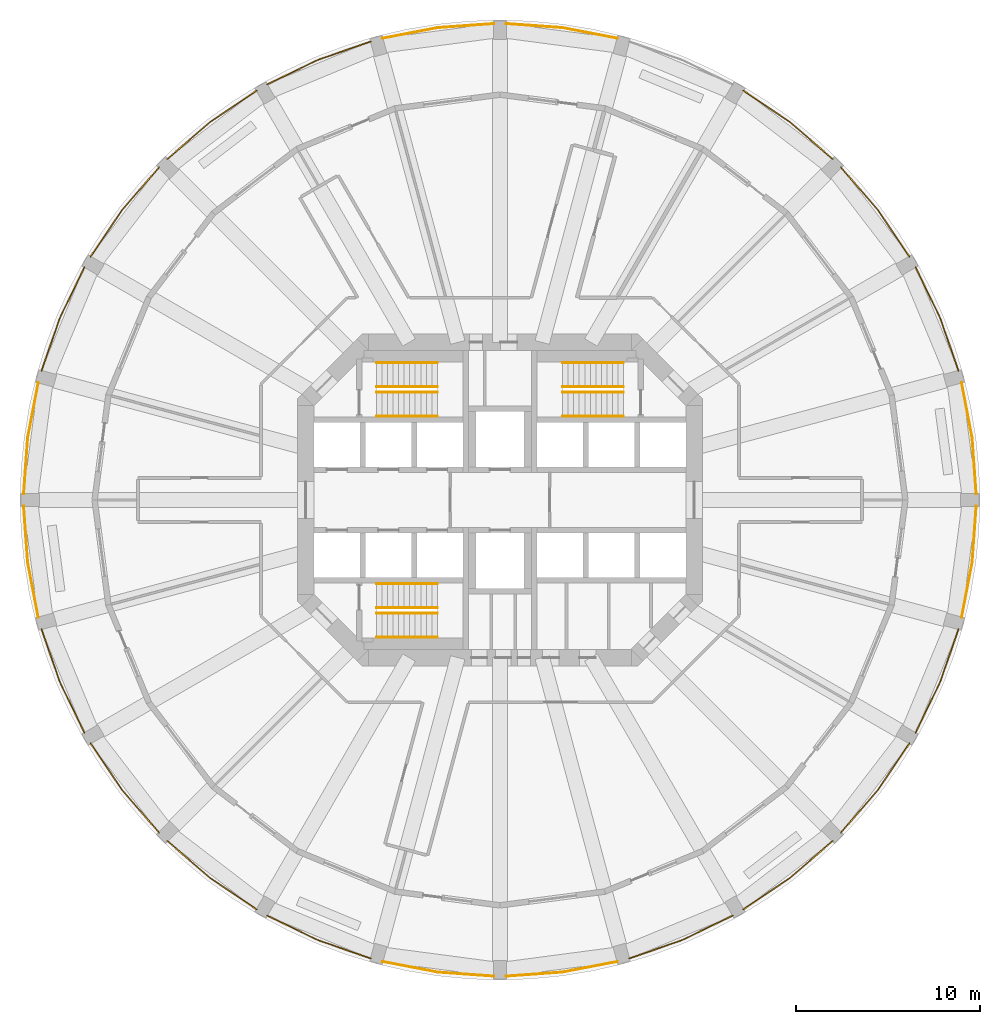
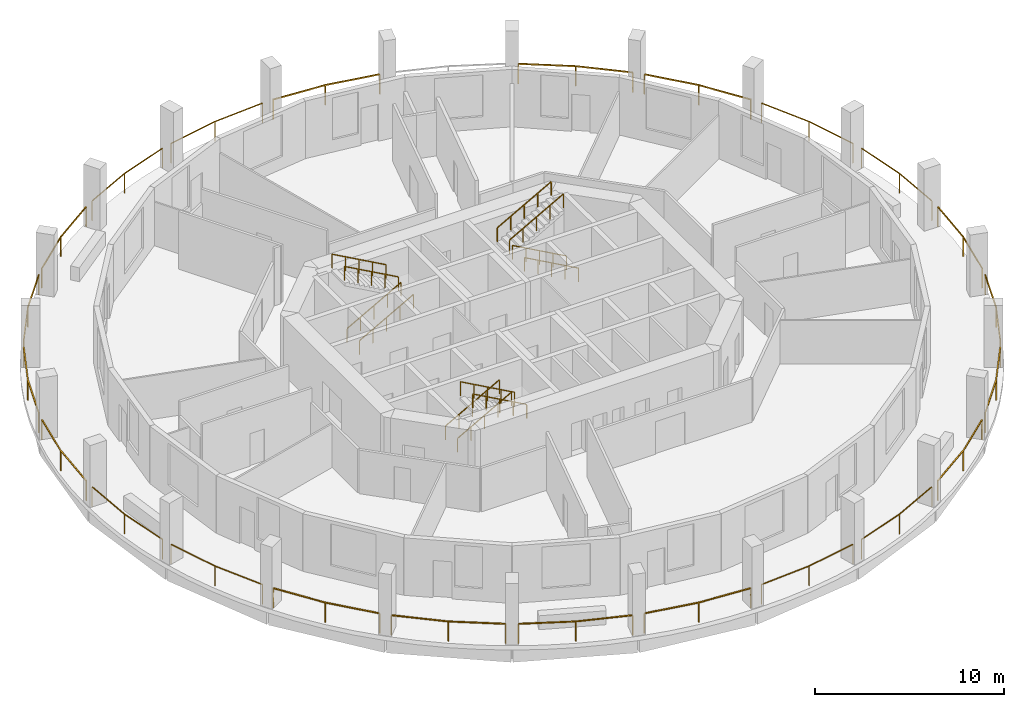
# One storey, part 8 of 9: 35 railings.
"""IFC4 building model written with IfcOpenShell, lengths in metres."""

from ifc_helpers import new_model, si_unit, direction, frame, origin, origin_2d, place, context, subcontext, project, spatial, rectangle, extrude, material, type_object, element, save


model = new_model("IFC4")

# Units and contexts
model_context = context("Model", 3, precision=1e-05, world=origin(), true_north=direction((0.0, 1.0)))
body_context = subcontext(model_context, "Body", "Model", "MODEL_VIEW")
ifc_project = project(units=[si_unit("LENGTHUNIT", "METRE"), si_unit("AREAUNIT", "SQUARE_METRE"), si_unit("VOLUMEUNIT", "CUBIC_METRE"), si_unit("PLANEANGLEUNIT", "RADIAN"), si_unit("MASSUNIT", "GRAM", prefix="KILO")], contexts=[model_context])

# Site, building, storey
site_placement = place(None, origin())
site = spatial("IfcSite", under=ifc_project, at=site_placement, CompositionType="ELEMENT")
building_placement = place(site_placement, origin())
building = spatial("IfcBuilding", under=site, at=building_placement, Name="Torre Triforio", CompositionType="ELEMENT")
storey_placement = place(building_placement, frame((0.0, 0.0, 102.60009765625)))
storey = spatial("IfcBuildingStorey", under=building, at=storey_placement, Name="L22", CompositionType="ELEMENT", Elevation=102.60009765625)

# Railings
ifc_material = material(Name="Stainless steel AISI 316", Category="steel")
railing_type_1 = type_object("IfcRailingType", Name="HANDRAIL 920", PredefinedType="HANDRAIL", material=ifc_material)
for number, where, name in (
    (1, (-6.699951171875, 4.550048828125, 0.16650390625), "Handrail ST1"),
    (2, (-6.699951171875, 5.85009765625, 0.16650390625), "Handrail ST1"),
):
    element("IfcRailing", number, at=place(storey_placement, frame(where)), inside=storey, type_object=railing_type_1, Name=name, PredefinedType="HANDRAIL", context=body_context, shape_type="SweptSolid", body=[
        extrude(rectangle(XDim=0.048095703125, YDim=0.048095703125, at=origin_2d()), frame((0.0, 0.0, 0.89599609375), z_axis=(0.874142023373, 0.0, 0.48567038511), x_axis=(0.0, 1.0, 0.0)), (0.0, 0.0, 1.0), 3.775146484375),
        extrude(rectangle(XDim=0.0419921875, YDim=0.0419921875, at=origin_2d()), origin(), (0.0, 0.0, 1.0), 0.871826171875),
        extrude(rectangle(XDim=0.0419921875, YDim=0.0419921875, at=origin_2d()), frame((0.824951171875, 0.0, 0.45849609375)), (0.0, 0.0, 1.0), 0.871826171875),
        extrude(rectangle(XDim=0.0419921875, YDim=0.0419921875, at=origin_2d()), frame((1.64990234375, 0.0, 0.916748046875)), (0.0, 0.0, 1.0), 0.871826171875),
        extrude(rectangle(XDim=0.0419921875, YDim=0.0419921875, at=origin_2d()), frame((2.47509765625, 0.0, 1.375)), (0.0, 0.0, 1.0), 0.871826171875),
        extrude(rectangle(XDim=0.0419921875, YDim=0.0419921875, at=origin_2d()), frame((3.300048828125, 0.0, 1.83349609375)), (0.0, 0.0, 1.0), 0.871826171875),
    ])
for number, where, name in (
    (3, (-3.39990234375, 7.449951171875, 2.16650390625), "Handrail ST1"),
    (4, (-3.39990234375, 6.14990234375, 2.16650390625), "Handrail ST1"),
    (5, (6.699951171875, 4.550048828125, 0.16650390625), "Handrail ST2"),
    (6, (6.699951171875, 5.85009765625, 0.16650390625), "Handrail ST2"),
):
    element("IfcRailing", number, at=place(storey_placement, frame(where)), inside=storey, type_object=railing_type_1, Name=name, PredefinedType="HANDRAIL", context=body_context, shape_type="SweptSolid", body=[
        extrude(rectangle(XDim=0.048095703125, YDim=0.048095703125, at=origin_2d()), frame((0.0, 0.0, 0.89599609375), z_axis=(-0.874142023373, 0.0, 0.48567038511), x_axis=(0.0, -1.0, 0.0)), (0.0, 0.0, 1.0), 3.775146484375),
        extrude(rectangle(XDim=0.0419921875, YDim=0.0419921875, at=origin_2d()), origin(), (0.0, 0.0, 1.0), 0.871826171875),
        extrude(rectangle(XDim=0.0419921875, YDim=0.0419921875, at=origin_2d()), frame((-0.824951171875, 0.0, 0.45849609375)), (0.0, 0.0, 1.0), 0.871826171875),
        extrude(rectangle(XDim=0.0419921875, YDim=0.0419921875, at=origin_2d()), frame((-1.64990234375, 0.0, 0.916748046875)), (0.0, 0.0, 1.0), 0.871826171875),
        extrude(rectangle(XDim=0.0419921875, YDim=0.0419921875, at=origin_2d()), frame((-2.47509765625, 0.0, 1.375)), (0.0, 0.0, 1.0), 0.871826171875),
        extrude(rectangle(XDim=0.0419921875, YDim=0.0419921875, at=origin_2d()), frame((-3.300048828125, 0.0, 1.83349609375)), (0.0, 0.0, 1.0), 0.871826171875),
    ])
for number, where, name in (
    (7, (3.39990234375, 7.449951171875, 2.16650390625), "Handrail ST2"),
    (8, (3.39990234375, 6.14990234375, 2.16650390625), "Handrail ST2"),
    (9, (-6.699951171875, -4.550048828125, 0.16650390625), "Handrail ST3"),
    (10, (-6.699951171875, -5.85009765625, 0.16650390625), "Handrail ST3"),
):
    element("IfcRailing", number, at=place(storey_placement, frame(where)), inside=storey, type_object=railing_type_1, Name=name, PredefinedType="HANDRAIL", context=body_context, shape_type="SweptSolid", body=[
        extrude(rectangle(XDim=0.048095703125, YDim=0.048095703125, at=origin_2d()), frame((0.0, 0.0, 0.89599609375), z_axis=(0.874142023373, 0.0, 0.48567038511), x_axis=(0.0, 1.0, 0.0)), (0.0, 0.0, 1.0), 3.775146484375),
        extrude(rectangle(XDim=0.0419921875, YDim=0.0419921875, at=origin_2d()), origin(), (0.0, 0.0, 1.0), 0.871826171875),
        extrude(rectangle(XDim=0.0419921875, YDim=0.0419921875, at=origin_2d()), frame((0.824951171875, 0.0, 0.45849609375)), (0.0, 0.0, 1.0), 0.871826171875),
        extrude(rectangle(XDim=0.0419921875, YDim=0.0419921875, at=origin_2d()), frame((1.64990234375, 0.0, 0.916748046875)), (0.0, 0.0, 1.0), 0.871826171875),
        extrude(rectangle(XDim=0.0419921875, YDim=0.0419921875, at=origin_2d()), frame((2.47509765625, 0.0, 1.375)), (0.0, 0.0, 1.0), 0.871826171875),
        extrude(rectangle(XDim=0.0419921875, YDim=0.0419921875, at=origin_2d()), frame((3.300048828125, 0.0, 1.83349609375)), (0.0, 0.0, 1.0), 0.871826171875),
    ])
for number, where, name in (
    (11, (-3.39990234375, -7.449951171875, 2.16650390625), "Handrail ST3"),
    (12, (-3.39990234375, -6.14990234375, 2.16650390625), "Handrail ST3"),
):
    element("IfcRailing", number, at=place(storey_placement, frame(where)), inside=storey, type_object=railing_type_1, Name=name, PredefinedType="HANDRAIL", context=body_context, shape_type="SweptSolid", body=[
        extrude(rectangle(XDim=0.048095703125, YDim=0.048095703125, at=origin_2d()), frame((0.0, 0.0, 0.89599609375), z_axis=(-0.874142023373, 0.0, 0.48567038511), x_axis=(0.0, -1.0, 0.0)), (0.0, 0.0, 1.0), 3.775146484375),
        extrude(rectangle(XDim=0.0419921875, YDim=0.0419921875, at=origin_2d()), origin(), (0.0, 0.0, 1.0), 0.871826171875),
        extrude(rectangle(XDim=0.0419921875, YDim=0.0419921875, at=origin_2d()), frame((-0.824951171875, 0.0, 0.45849609375)), (0.0, 0.0, 1.0), 0.871826171875),
        extrude(rectangle(XDim=0.0419921875, YDim=0.0419921875, at=origin_2d()), frame((-1.64990234375, 0.0, 0.916748046875)), (0.0, 0.0, 1.0), 0.871826171875),
        extrude(rectangle(XDim=0.0419921875, YDim=0.0419921875, at=origin_2d()), frame((-2.47509765625, 0.0, 1.375)), (0.0, 0.0, 1.0), 0.871826171875),
        extrude(rectangle(XDim=0.0419921875, YDim=0.0419921875, at=origin_2d()), frame((-3.300048828125, 0.0, 1.83349609375)), (0.0, 0.0, 1.0), 0.871826171875),
    ])
railing_type_2 = type_object("IfcRailingType", Name="Loggia guard 1300", PredefinedType="GUARDRAIL", material=ifc_material)
railing_1_placement = place(storey_placement, frame((25.85009765625, 0.320068359375, 0.0)))
element("IfcRailing", 13, at=railing_1_placement, inside=storey, type_object=railing_type_2, Name="Loggia guard L22 bay 01", PredefinedType="GUARDRAIL", context=body_context, shape_type="SweptSolid", body=[
    extrude(rectangle(XDim=0.050048828125, YDim=0.050048828125, at=origin_2d()), frame((0.0, 0.0, 1.27490234375), z_axis=(-0.072238625319, 0.997387377608, 0.0), x_axis=(-0.997387377608, -0.072238625319, 0.0)), (0.0, 0.0, 1.0), 3.06201171875),
    extrude(rectangle(XDim=0.050048828125, YDim=0.050048828125, at=origin_2d()), frame((-0.22119140625, 3.053955078125, 1.27490234375), z_axis=(-0.188397892972, 0.982092782747, 0.0), x_axis=(-0.982092782747, -0.188397892972, 0.0)), (0.0, 0.0, 1.0), 3.062255859375),
    extrude(rectangle(XDim=0.0400390625, YDim=0.0400390625, at=origin_2d()), origin(), (0.0, 0.0, 1.0), 1.25),
    extrude(rectangle(XDim=0.0400390625, YDim=0.0400390625, at=origin_2d()), frame((-0.22119140625, 3.053955078125, 0.0)), (0.0, 0.0, 1.0), 1.25),
    extrude(rectangle(XDim=0.0400390625, YDim=0.0400390625, at=origin_2d()), frame((-0.798095703125, 6.061279296875, 0.0)), (0.0, 0.0, 1.0), 1.25),
])
railing_2_placement = place(storey_placement, frame((24.886474609375, 6.99951171875, 0.0)))
element("IfcRailing", 14, at=railing_2_placement, inside=storey, type_object=railing_type_2, Name="Loggia guard L22 bay 02", PredefinedType="GUARDRAIL", context=body_context, shape_type="SweptSolid", body=[
    extrude(rectangle(XDim=0.050048828125, YDim=0.050048828125, at=origin_2d()), frame((0.0, 0.0, 1.27490234375), z_axis=(-0.327923737665, 0.944704198295, 0.0), x_axis=(-0.944704198295, -0.327923737665, 0.0)), (0.0, 0.0, 1.0), 3.062255859375),
    extrude(rectangle(XDim=0.050048828125, YDim=0.050048828125, at=origin_2d()), frame((-1.004150390625, 2.892822265625, 1.27490234375), z_axis=(-0.436113094806, 0.899891864914, 0.0), x_axis=(-0.899891864914, -0.436113094806, 0.0)), (0.0, 0.0, 1.0), 3.062255859375),
    extrude(rectangle(XDim=0.0400390625, YDim=0.0400390625, at=origin_2d()), origin(), (0.0, 0.0, 1.0), 1.25),
    extrude(rectangle(XDim=0.0400390625, YDim=0.0400390625, at=origin_2d()), frame((-1.004150390625, 2.892822265625, 0.0)), (0.0, 0.0, 1.0), 1.25),
    extrude(rectangle(XDim=0.0400390625, YDim=0.0400390625, at=origin_2d()), frame((-2.339599609375, 5.6484375, 0.0)), (0.0, 0.0, 1.0), 1.25),
])
railing_3_placement = place(storey_placement, frame((22.226806640625, 13.2021484375, 0.0)))
element("IfcRailing", 15, at=railing_3_placement, inside=storey, type_object=railing_type_2, Name="Loggia guard L22 bay 03", PredefinedType="GUARDRAIL", context=body_context, shape_type="SweptSolid", body=[
    extrude(rectangle(XDim=0.050048828125, YDim=0.050048828125, at=origin_2d()), frame((0.0, 0.0, 1.27490234375), z_axis=(-0.561214776852, 0.827670208624, 0.0), x_axis=(-0.827670208624, -0.561214776852, 0.0)), (0.0, 0.0, 1.0), 3.06201171875),
    extrude(rectangle(XDim=0.050048828125, YDim=0.050048828125, at=origin_2d()), frame((-1.718505859375, 2.534423828125, 1.27490234375), z_axis=(-0.654238218872, 0.75628853817, 0.0), x_axis=(-0.75628853817, -0.654238218872, 0.0)), (0.0, 0.0, 1.0), 3.062255859375),
    extrude(rectangle(XDim=0.0400390625, YDim=0.0400390625, at=origin_2d()), origin(), (0.0, 0.0, 1.0), 1.25),
    extrude(rectangle(XDim=0.0400390625, YDim=0.0400390625, at=origin_2d()), frame((-1.718505859375, 2.534423828125, 0.0)), (0.0, 0.0, 1.0), 1.25),
    extrude(rectangle(XDim=0.0400390625, YDim=0.0400390625, at=origin_2d()), frame((-3.721923828125, 4.850341796875, 0.0)), (0.0, 0.0, 1.0), 1.25),
])
railing_4_placement = place(storey_placement, frame((18.052490234375, 18.5048828125, 0.0)))
element("IfcRailing", 16, at=railing_4_placement, inside=storey, type_object=railing_type_2, Name="Loggia guard L22 bay 04", PredefinedType="GUARDRAIL", context=body_context, shape_type="SweptSolid", body=[
    extrude(rectangle(XDim=0.050048828125, YDim=0.050048828125, at=origin_2d()), frame((0.0, 0.0, 1.27490234375), z_axis=(-0.75628853817, 0.654238218872, 0.0), x_axis=(-0.654238218872, -0.75628853817, 0.0)), (0.0, 0.0, 1.0), 3.062255859375),
    extrude(rectangle(XDim=0.050048828125, YDim=0.050048828125, at=origin_2d()), frame((-2.31591796875, 2.00341796875, 1.27490234375), z_axis=(-0.827670208624, 0.561214776852, 0.0), x_axis=(-0.561214776852, -0.827670208624, 0.0)), (0.0, 0.0, 1.0), 3.06201171875),
    extrude(rectangle(XDim=0.0400390625, YDim=0.0400390625, at=origin_2d()), origin(), (0.0, 0.0, 1.0), 1.25),
    extrude(rectangle(XDim=0.0400390625, YDim=0.0400390625, at=origin_2d()), frame((-2.31591796875, 2.00341796875, 0.0)), (0.0, 0.0, 1.0), 1.25),
    extrude(rectangle(XDim=0.0400390625, YDim=0.0400390625, at=origin_2d()), frame((-4.850341796875, 3.721923828125, 0.0)), (0.0, 0.0, 1.0), 1.25),
])
railing_5_placement = place(storey_placement, frame((6.38134765625, 25.052001953125, 0.0)))
element("IfcRailing", 17, at=railing_5_placement, inside=storey, type_object=railing_type_2, Name="Loggia guard L22 bay 06", PredefinedType="GUARDRAIL", context=body_context, shape_type="SweptSolid", body=[
    extrude(rectangle(XDim=0.050048828125, YDim=0.050048828125, at=origin_2d()), frame((0.0, 0.0, 1.27490234375), z_axis=(-0.982092782747, 0.188397892972, 0.0), x_axis=(-0.188397892972, -0.982092782747, 0.0)), (0.0, 0.0, 1.0), 3.062255859375),
    extrude(rectangle(XDim=0.050048828125, YDim=0.050048828125, at=origin_2d()), frame((-3.00732421875, 0.576904296875, 1.27490234375), z_axis=(-0.997387377608, 0.072238625319, 0.0), x_axis=(-0.072238625319, -0.997387377608, 0.0)), (0.0, 0.0, 1.0), 3.06201171875),
    extrude(rectangle(XDim=0.0400390625, YDim=0.0400390625, at=origin_2d()), origin(), (0.0, 0.0, 1.0), 1.25),
    extrude(rectangle(XDim=0.0400390625, YDim=0.0400390625, at=origin_2d()), frame((-3.00732421875, 0.576904296875, 0.0)), (0.0, 0.0, 1.0), 1.25),
    extrude(rectangle(XDim=0.0400390625, YDim=0.0400390625, at=origin_2d()), frame((-6.061279296875, 0.798095703125, 0.0)), (0.0, 0.0, 1.0), 1.25),
])
railing_6_placement = place(storey_placement, frame((-0.320068359375, 25.85009765625, 0.0)))
element("IfcRailing", 18, at=railing_6_placement, inside=storey, type_object=railing_type_2, Name="Loggia guard L22 bay 07", PredefinedType="GUARDRAIL", context=body_context, shape_type="SweptSolid", body=[
    extrude(rectangle(XDim=0.050048828125, YDim=0.050048828125, at=origin_2d()), frame((0.0, 0.0, 1.27490234375), z_axis=(-0.997387377608, -0.072238625319, 0.0), x_axis=(0.072238625319, -0.997387377608, 0.0)), (0.0, 0.0, 1.0), 3.06201171875),
    extrude(rectangle(XDim=0.050048828125, YDim=0.050048828125, at=origin_2d()), frame((-3.053955078125, -0.22119140625, 1.27490234375), z_axis=(-0.982092782747, -0.188397892972, 0.0), x_axis=(0.188397892972, -0.982092782747, 0.0)), (0.0, 0.0, 1.0), 3.062255859375),
    extrude(rectangle(XDim=0.0400390625, YDim=0.0400390625, at=origin_2d()), origin(), (0.0, 0.0, 1.0), 1.25),
    extrude(rectangle(XDim=0.0400390625, YDim=0.0400390625, at=origin_2d()), frame((-3.053955078125, -0.22119140625, 0.0)), (0.0, 0.0, 1.0), 1.25),
    extrude(rectangle(XDim=0.0400390625, YDim=0.0400390625, at=origin_2d()), frame((-6.061279296875, -0.798095703125, 0.0)), (0.0, 0.0, 1.0), 1.25),
])
railing_7_placement = place(storey_placement, frame((-6.99951171875, 24.886474609375, 0.0)))
element("IfcRailing", 19, at=railing_7_placement, inside=storey, type_object=railing_type_2, Name="Loggia guard L22 bay 08", PredefinedType="GUARDRAIL", context=body_context, shape_type="SweptSolid", body=[
    extrude(rectangle(XDim=0.050048828125, YDim=0.050048828125, at=origin_2d()), frame((0.0, 0.0, 1.27490234375), z_axis=(-0.944704198295, -0.327923737665, 0.0), x_axis=(0.327923737665, -0.944704198295, 0.0)), (0.0, 0.0, 1.0), 3.062255859375),
    extrude(rectangle(XDim=0.050048828125, YDim=0.050048828125, at=origin_2d()), frame((-2.892822265625, -1.004150390625, 1.27490234375), z_axis=(-0.899891864914, -0.436113094806, 0.0), x_axis=(0.436113094806, -0.899891864914, 0.0)), (0.0, 0.0, 1.0), 3.062255859375),
    extrude(rectangle(XDim=0.0400390625, YDim=0.0400390625, at=origin_2d()), origin(), (0.0, 0.0, 1.0), 1.25),
    extrude(rectangle(XDim=0.0400390625, YDim=0.0400390625, at=origin_2d()), frame((-2.892822265625, -1.004150390625, 0.0)), (0.0, 0.0, 1.0), 1.25),
    extrude(rectangle(XDim=0.0400390625, YDim=0.0400390625, at=origin_2d()), frame((-5.6484375, -2.339599609375, 0.0)), (0.0, 0.0, 1.0), 1.25),
])
railing_8_placement = place(storey_placement, frame((-13.2021484375, 22.226806640625, 0.0)))
element("IfcRailing", 20, at=railing_8_placement, inside=storey, type_object=railing_type_2, Name="Loggia guard L22 bay 09", PredefinedType="GUARDRAIL", context=body_context, shape_type="SweptSolid", body=[
    extrude(rectangle(XDim=0.050048828125, YDim=0.050048828125, at=origin_2d()), frame((0.0, 0.0, 1.27490234375), z_axis=(-0.827670208624, -0.561214776852, 0.0), x_axis=(0.561214776852, -0.827670208624, 0.0)), (0.0, 0.0, 1.0), 3.06201171875),
    extrude(rectangle(XDim=0.050048828125, YDim=0.050048828125, at=origin_2d()), frame((-2.534423828125, -1.718505859375, 1.27490234375), z_axis=(-0.75628853817, -0.654238218872, 0.0), x_axis=(0.654238218872, -0.75628853817, 0.0)), (0.0, 0.0, 1.0), 3.062255859375),
    extrude(rectangle(XDim=0.0400390625, YDim=0.0400390625, at=origin_2d()), origin(), (0.0, 0.0, 1.0), 1.25),
    extrude(rectangle(XDim=0.0400390625, YDim=0.0400390625, at=origin_2d()), frame((-2.534423828125, -1.718505859375, 0.0)), (0.0, 0.0, 1.0), 1.25),
    extrude(rectangle(XDim=0.0400390625, YDim=0.0400390625, at=origin_2d()), frame((-4.850341796875, -3.721923828125, 0.0)), (0.0, 0.0, 1.0), 1.25),
])
railing_9_placement = place(storey_placement, frame((-18.5048828125, 18.052490234375, 0.0)))
element("IfcRailing", 21, at=railing_9_placement, inside=storey, type_object=railing_type_2, Name="Loggia guard L22 bay 10", PredefinedType="GUARDRAIL", context=body_context, shape_type="SweptSolid", body=[
    extrude(rectangle(XDim=0.050048828125, YDim=0.050048828125, at=origin_2d()), frame((0.0, 0.0, 1.27490234375), z_axis=(-0.654238218872, -0.75628853817, 0.0), x_axis=(0.75628853817, -0.654238218872, 0.0)), (0.0, 0.0, 1.0), 3.062255859375),
    extrude(rectangle(XDim=0.050048828125, YDim=0.050048828125, at=origin_2d()), frame((-2.00341796875, -2.31591796875, 1.27490234375), z_axis=(-0.561214776852, -0.827670208624, 0.0), x_axis=(0.827670208624, -0.561214776852, 0.0)), (0.0, 0.0, 1.0), 3.06201171875),
    extrude(rectangle(XDim=0.0400390625, YDim=0.0400390625, at=origin_2d()), origin(), (0.0, 0.0, 1.0), 1.25),
    extrude(rectangle(XDim=0.0400390625, YDim=0.0400390625, at=origin_2d()), frame((-2.00341796875, -2.31591796875, 0.0)), (0.0, 0.0, 1.0), 1.25),
    extrude(rectangle(XDim=0.0400390625, YDim=0.0400390625, at=origin_2d()), frame((-3.721923828125, -4.850341796875, 0.0)), (0.0, 0.0, 1.0), 1.25),
])
railing_10_placement = place(storey_placement, frame((-22.546875, 12.64794921875, 0.0)))
element("IfcRailing", 22, at=railing_10_placement, inside=storey, type_object=railing_type_2, Name="Loggia guard L22 bay 11", PredefinedType="GUARDRAIL", context=body_context, shape_type="SweptSolid", body=[
    extrude(rectangle(XDim=0.050048828125, YDim=0.050048828125, at=origin_2d()), frame((0.0, 0.0, 1.27490234375), z_axis=(-0.436113094806, -0.899891864914, 0.0), x_axis=(0.899891864914, -0.436113094806, 0.0)), (0.0, 0.0, 1.0), 3.062255859375),
    extrude(rectangle(XDim=0.050048828125, YDim=0.050048828125, at=origin_2d()), frame((-1.33544921875, -2.755615234375, 1.27490234375), z_axis=(-0.327923737665, -0.944704198295, 0.0), x_axis=(0.944704198295, -0.327923737665, 0.0)), (0.0, 0.0, 1.0), 3.062255859375),
    extrude(rectangle(XDim=0.0400390625, YDim=0.0400390625, at=origin_2d()), origin(), (0.0, 0.0, 1.0), 1.25),
    extrude(rectangle(XDim=0.0400390625, YDim=0.0400390625, at=origin_2d()), frame((-1.33544921875, -2.755615234375, 0.0)), (0.0, 0.0, 1.0), 1.25),
    extrude(rectangle(XDim=0.0400390625, YDim=0.0400390625, at=origin_2d()), frame((-2.339599609375, -5.6484375, 0.0)), (0.0, 0.0, 1.0), 1.25),
])
railing_11_placement = place(storey_placement, frame((-25.052001953125, 6.38134765625, 0.0)))
element("IfcRailing", 23, at=railing_11_placement, inside=storey, type_object=railing_type_2, Name="Loggia guard L22 bay 12", PredefinedType="GUARDRAIL", context=body_context, shape_type="SweptSolid", body=[
    extrude(rectangle(XDim=0.050048828125, YDim=0.050048828125, at=origin_2d()), frame((0.0, 0.0, 1.27490234375), z_axis=(-0.188397892972, -0.982092782747, 0.0), x_axis=(0.982092782747, -0.188397892972, 0.0)), (0.0, 0.0, 1.0), 3.062255859375),
    extrude(rectangle(XDim=0.050048828125, YDim=0.050048828125, at=origin_2d()), frame((-0.576904296875, -3.00732421875, 1.27490234375), z_axis=(-0.072238625319, -0.997387377608, 0.0), x_axis=(0.997387377608, -0.072238625319, 0.0)), (0.0, 0.0, 1.0), 3.06201171875),
    extrude(rectangle(XDim=0.0400390625, YDim=0.0400390625, at=origin_2d()), origin(), (0.0, 0.0, 1.0), 1.25),
    extrude(rectangle(XDim=0.0400390625, YDim=0.0400390625, at=origin_2d()), frame((-0.576904296875, -3.00732421875, 0.0)), (0.0, 0.0, 1.0), 1.25),
    extrude(rectangle(XDim=0.0400390625, YDim=0.0400390625, at=origin_2d()), frame((-0.798095703125, -6.061279296875, 0.0)), (0.0, 0.0, 1.0), 1.25),
])
railing_12_placement = place(storey_placement, frame((-25.85009765625, -0.320068359375, 0.0)))
element("IfcRailing", 24, at=railing_12_placement, inside=storey, type_object=railing_type_2, Name="Loggia guard L22 bay 13", PredefinedType="GUARDRAIL", context=body_context, shape_type="SweptSolid", body=[
    extrude(rectangle(XDim=0.050048828125, YDim=0.050048828125, at=origin_2d()), frame((0.0, 0.0, 1.27490234375), z_axis=(0.072238625319, -0.997387377608, 0.0), x_axis=(0.997387377608, 0.072238625319, 0.0)), (0.0, 0.0, 1.0), 3.06201171875),
    extrude(rectangle(XDim=0.050048828125, YDim=0.050048828125, at=origin_2d()), frame((0.22119140625, -3.053955078125, 1.27490234375), z_axis=(0.188397892972, -0.982092782747, 0.0), x_axis=(0.982092782747, 0.188397892972, 0.0)), (0.0, 0.0, 1.0), 3.062255859375),
    extrude(rectangle(XDim=0.0400390625, YDim=0.0400390625, at=origin_2d()), origin(), (0.0, 0.0, 1.0), 1.25),
    extrude(rectangle(XDim=0.0400390625, YDim=0.0400390625, at=origin_2d()), frame((0.22119140625, -3.053955078125, 0.0)), (0.0, 0.0, 1.0), 1.25),
    extrude(rectangle(XDim=0.0400390625, YDim=0.0400390625, at=origin_2d()), frame((0.798095703125, -6.061279296875, 0.0)), (0.0, 0.0, 1.0), 1.25),
])
railing_13_placement = place(storey_placement, frame((-24.886474609375, -6.99951171875, 0.0)))
element("IfcRailing", 25, at=railing_13_placement, inside=storey, type_object=railing_type_2, Name="Loggia guard L22 bay 14", PredefinedType="GUARDRAIL", context=body_context, shape_type="SweptSolid", body=[
    extrude(rectangle(XDim=0.050048828125, YDim=0.050048828125, at=origin_2d()), frame((0.0, 0.0, 1.27490234375), z_axis=(0.327923737665, -0.944704198295, 0.0), x_axis=(0.944704198295, 0.327923737665, 0.0)), (0.0, 0.0, 1.0), 3.062255859375),
    extrude(rectangle(XDim=0.050048828125, YDim=0.050048828125, at=origin_2d()), frame((1.004150390625, -2.892822265625, 1.27490234375), z_axis=(0.436113094806, -0.899891864914, 0.0), x_axis=(0.899891864914, 0.436113094806, 0.0)), (0.0, 0.0, 1.0), 3.062255859375),
    extrude(rectangle(XDim=0.0400390625, YDim=0.0400390625, at=origin_2d()), origin(), (0.0, 0.0, 1.0), 1.25),
    extrude(rectangle(XDim=0.0400390625, YDim=0.0400390625, at=origin_2d()), frame((1.004150390625, -2.892822265625, 0.0)), (0.0, 0.0, 1.0), 1.25),
    extrude(rectangle(XDim=0.0400390625, YDim=0.0400390625, at=origin_2d()), frame((2.339599609375, -5.6484375, 0.0)), (0.0, 0.0, 1.0), 1.25),
])
railing_14_placement = place(storey_placement, frame((-22.226806640625, -13.2021484375, 0.0)))
element("IfcRailing", 26, at=railing_14_placement, inside=storey, type_object=railing_type_2, Name="Loggia guard L22 bay 15", PredefinedType="GUARDRAIL", context=body_context, shape_type="SweptSolid", body=[
    extrude(rectangle(XDim=0.050048828125, YDim=0.050048828125, at=origin_2d()), frame((0.0, 0.0, 1.27490234375), z_axis=(0.561214776852, -0.827670208624, 0.0), x_axis=(0.827670208624, 0.561214776852, 0.0)), (0.0, 0.0, 1.0), 3.06201171875),
    extrude(rectangle(XDim=0.050048828125, YDim=0.050048828125, at=origin_2d()), frame((1.718505859375, -2.534423828125, 1.27490234375), z_axis=(0.654238218872, -0.75628853817, 0.0), x_axis=(0.75628853817, 0.654238218872, 0.0)), (0.0, 0.0, 1.0), 3.062255859375),
    extrude(rectangle(XDim=0.0400390625, YDim=0.0400390625, at=origin_2d()), origin(), (0.0, 0.0, 1.0), 1.25),
    extrude(rectangle(XDim=0.0400390625, YDim=0.0400390625, at=origin_2d()), frame((1.718505859375, -2.534423828125, 0.0)), (0.0, 0.0, 1.0), 1.25),
    extrude(rectangle(XDim=0.0400390625, YDim=0.0400390625, at=origin_2d()), frame((3.721923828125, -4.850341796875, 0.0)), (0.0, 0.0, 1.0), 1.25),
])
railing_15_placement = place(storey_placement, frame((-18.052490234375, -18.5048828125, 0.0)))
element("IfcRailing", 27, at=railing_15_placement, inside=storey, type_object=railing_type_2, Name="Loggia guard L22 bay 16", PredefinedType="GUARDRAIL", context=body_context, shape_type="SweptSolid", body=[
    extrude(rectangle(XDim=0.050048828125, YDim=0.050048828125, at=origin_2d()), frame((0.0, 0.0, 1.27490234375), z_axis=(0.75628853817, -0.654238218872, 0.0), x_axis=(0.654238218872, 0.75628853817, 0.0)), (0.0, 0.0, 1.0), 3.062255859375),
    extrude(rectangle(XDim=0.050048828125, YDim=0.050048828125, at=origin_2d()), frame((2.31591796875, -2.00341796875, 1.27490234375), z_axis=(0.827670208624, -0.561214776852, 0.0), x_axis=(0.561214776852, 0.827670208624, 0.0)), (0.0, 0.0, 1.0), 3.06201171875),
    extrude(rectangle(XDim=0.0400390625, YDim=0.0400390625, at=origin_2d()), origin(), (0.0, 0.0, 1.0), 1.25),
    extrude(rectangle(XDim=0.0400390625, YDim=0.0400390625, at=origin_2d()), frame((2.31591796875, -2.00341796875, 0.0)), (0.0, 0.0, 1.0), 1.25),
    extrude(rectangle(XDim=0.0400390625, YDim=0.0400390625, at=origin_2d()), frame((4.850341796875, -3.721923828125, 0.0)), (0.0, 0.0, 1.0), 1.25),
])
railing_16_placement = place(storey_placement, frame((-12.64794921875, -22.546875, 0.0)))
element("IfcRailing", 28, at=railing_16_placement, inside=storey, type_object=railing_type_2, Name="Loggia guard L22 bay 17", PredefinedType="GUARDRAIL", context=body_context, shape_type="SweptSolid", body=[
    extrude(rectangle(XDim=0.050048828125, YDim=0.050048828125, at=origin_2d()), frame((0.0, 0.0, 1.27490234375), z_axis=(0.899891864914, -0.436113094806, 0.0), x_axis=(0.436113094806, 0.899891864914, 0.0)), (0.0, 0.0, 1.0), 3.062255859375),
    extrude(rectangle(XDim=0.050048828125, YDim=0.050048828125, at=origin_2d()), frame((2.755615234375, -1.33544921875, 1.27490234375), z_axis=(0.944704198295, -0.327923737665, 0.0), x_axis=(0.327923737665, 0.944704198295, 0.0)), (0.0, 0.0, 1.0), 3.062255859375),
    extrude(rectangle(XDim=0.0400390625, YDim=0.0400390625, at=origin_2d()), origin(), (0.0, 0.0, 1.0), 1.25),
    extrude(rectangle(XDim=0.0400390625, YDim=0.0400390625, at=origin_2d()), frame((2.755615234375, -1.33544921875, 0.0)), (0.0, 0.0, 1.0), 1.25),
    extrude(rectangle(XDim=0.0400390625, YDim=0.0400390625, at=origin_2d()), frame((5.6484375, -2.339599609375, 0.0)), (0.0, 0.0, 1.0), 1.25),
])
railing_17_placement = place(storey_placement, frame((-6.38134765625, -25.052001953125, 0.0)))
element("IfcRailing", 29, at=railing_17_placement, inside=storey, type_object=railing_type_2, Name="Loggia guard L22 bay 18", PredefinedType="GUARDRAIL", context=body_context, shape_type="SweptSolid", body=[
    extrude(rectangle(XDim=0.050048828125, YDim=0.050048828125, at=origin_2d()), frame((0.0, 0.0, 1.27490234375), z_axis=(0.982092782747, -0.188397892972, 0.0), x_axis=(0.188397892972, 0.982092782747, 0.0)), (0.0, 0.0, 1.0), 3.062255859375),
    extrude(rectangle(XDim=0.050048828125, YDim=0.050048828125, at=origin_2d()), frame((3.00732421875, -0.576904296875, 1.27490234375), z_axis=(0.997387377608, -0.072238625319, 0.0), x_axis=(0.072238625319, 0.997387377608, 0.0)), (0.0, 0.0, 1.0), 3.06201171875),
    extrude(rectangle(XDim=0.0400390625, YDim=0.0400390625, at=origin_2d()), origin(), (0.0, 0.0, 1.0), 1.25),
    extrude(rectangle(XDim=0.0400390625, YDim=0.0400390625, at=origin_2d()), frame((3.00732421875, -0.576904296875, 0.0)), (0.0, 0.0, 1.0), 1.25),
    extrude(rectangle(XDim=0.0400390625, YDim=0.0400390625, at=origin_2d()), frame((6.061279296875, -0.798095703125, 0.0)), (0.0, 0.0, 1.0), 1.25),
])
railing_18_placement = place(storey_placement, frame((0.320068359375, -25.85009765625, 0.0)))
element("IfcRailing", 30, at=railing_18_placement, inside=storey, type_object=railing_type_2, Name="Loggia guard L22 bay 19", PredefinedType="GUARDRAIL", context=body_context, shape_type="SweptSolid", body=[
    extrude(rectangle(XDim=0.050048828125, YDim=0.050048828125, at=origin_2d()), frame((0.0, 0.0, 1.27490234375), z_axis=(0.997387377608, 0.072238625319, 0.0), x_axis=(-0.072238625319, 0.997387377608, 0.0)), (0.0, 0.0, 1.0), 3.06201171875),
    extrude(rectangle(XDim=0.050048828125, YDim=0.050048828125, at=origin_2d()), frame((3.053955078125, 0.22119140625, 1.27490234375), z_axis=(0.982092782747, 0.188397892972, 0.0), x_axis=(-0.188397892972, 0.982092782747, 0.0)), (0.0, 0.0, 1.0), 3.062255859375),
    extrude(rectangle(XDim=0.0400390625, YDim=0.0400390625, at=origin_2d()), origin(), (0.0, 0.0, 1.0), 1.25),
    extrude(rectangle(XDim=0.0400390625, YDim=0.0400390625, at=origin_2d()), frame((3.053955078125, 0.22119140625, 0.0)), (0.0, 0.0, 1.0), 1.25),
    extrude(rectangle(XDim=0.0400390625, YDim=0.0400390625, at=origin_2d()), frame((6.061279296875, 0.798095703125, 0.0)), (0.0, 0.0, 1.0), 1.25),
])
railing_19_placement = place(storey_placement, frame((6.99951171875, -24.886474609375, 0.0)))
element("IfcRailing", 31, at=railing_19_placement, inside=storey, type_object=railing_type_2, Name="Loggia guard L22 bay 20", PredefinedType="GUARDRAIL", context=body_context, shape_type="SweptSolid", body=[
    extrude(rectangle(XDim=0.050048828125, YDim=0.050048828125, at=origin_2d()), frame((0.0, 0.0, 1.27490234375), z_axis=(0.944704198295, 0.327923737665, 0.0), x_axis=(-0.327923737665, 0.944704198295, 0.0)), (0.0, 0.0, 1.0), 3.062255859375),
    extrude(rectangle(XDim=0.050048828125, YDim=0.050048828125, at=origin_2d()), frame((2.892822265625, 1.004150390625, 1.27490234375), z_axis=(0.899891864914, 0.436113094806, 0.0), x_axis=(-0.436113094806, 0.899891864914, 0.0)), (0.0, 0.0, 1.0), 3.062255859375),
    extrude(rectangle(XDim=0.0400390625, YDim=0.0400390625, at=origin_2d()), origin(), (0.0, 0.0, 1.0), 1.25),
    extrude(rectangle(XDim=0.0400390625, YDim=0.0400390625, at=origin_2d()), frame((2.892822265625, 1.004150390625, 0.0)), (0.0, 0.0, 1.0), 1.25),
    extrude(rectangle(XDim=0.0400390625, YDim=0.0400390625, at=origin_2d()), frame((5.6484375, 2.339599609375, 0.0)), (0.0, 0.0, 1.0), 1.25),
])
railing_20_placement = place(storey_placement, frame((13.2021484375, -22.226806640625, 0.0)))
element("IfcRailing", 32, at=railing_20_placement, inside=storey, type_object=railing_type_2, Name="Loggia guard L22 bay 21", PredefinedType="GUARDRAIL", context=body_context, shape_type="SweptSolid", body=[
    extrude(rectangle(XDim=0.050048828125, YDim=0.050048828125, at=origin_2d()), frame((0.0, 0.0, 1.27490234375), z_axis=(0.827670208624, 0.561214776852, 0.0), x_axis=(-0.561214776852, 0.827670208624, 0.0)), (0.0, 0.0, 1.0), 3.06201171875),
    extrude(rectangle(XDim=0.050048828125, YDim=0.050048828125, at=origin_2d()), frame((2.534423828125, 1.718505859375, 1.27490234375), z_axis=(0.75628853817, 0.654238218872, 0.0), x_axis=(-0.654238218872, 0.75628853817, 0.0)), (0.0, 0.0, 1.0), 3.062255859375),
    extrude(rectangle(XDim=0.0400390625, YDim=0.0400390625, at=origin_2d()), origin(), (0.0, 0.0, 1.0), 1.25),
    extrude(rectangle(XDim=0.0400390625, YDim=0.0400390625, at=origin_2d()), frame((2.534423828125, 1.718505859375, 0.0)), (0.0, 0.0, 1.0), 1.25),
    extrude(rectangle(XDim=0.0400390625, YDim=0.0400390625, at=origin_2d()), frame((4.850341796875, 3.721923828125, 0.0)), (0.0, 0.0, 1.0), 1.25),
])
railing_21_placement = place(storey_placement, frame((18.5048828125, -18.052490234375, 0.0)))
element("IfcRailing", 33, at=railing_21_placement, inside=storey, type_object=railing_type_2, Name="Loggia guard L22 bay 22", PredefinedType="GUARDRAIL", context=body_context, shape_type="SweptSolid", body=[
    extrude(rectangle(XDim=0.050048828125, YDim=0.050048828125, at=origin_2d()), frame((0.0, 0.0, 1.27490234375), z_axis=(0.654238218872, 0.75628853817, 0.0), x_axis=(-0.75628853817, 0.654238218872, 0.0)), (0.0, 0.0, 1.0), 3.062255859375),
    extrude(rectangle(XDim=0.050048828125, YDim=0.050048828125, at=origin_2d()), frame((2.00341796875, 2.31591796875, 1.27490234375), z_axis=(0.561214776852, 0.827670208624, 0.0), x_axis=(-0.827670208624, 0.561214776852, 0.0)), (0.0, 0.0, 1.0), 3.06201171875),
    extrude(rectangle(XDim=0.0400390625, YDim=0.0400390625, at=origin_2d()), origin(), (0.0, 0.0, 1.0), 1.25),
    extrude(rectangle(XDim=0.0400390625, YDim=0.0400390625, at=origin_2d()), frame((2.00341796875, 2.31591796875, 0.0)), (0.0, 0.0, 1.0), 1.25),
    extrude(rectangle(XDim=0.0400390625, YDim=0.0400390625, at=origin_2d()), frame((3.721923828125, 4.850341796875, 0.0)), (0.0, 0.0, 1.0), 1.25),
])
railing_22_placement = place(storey_placement, frame((22.546875, -12.64794921875, 0.0)))
element("IfcRailing", 34, at=railing_22_placement, inside=storey, type_object=railing_type_2, Name="Loggia guard L22 bay 23", PredefinedType="GUARDRAIL", context=body_context, shape_type="SweptSolid", body=[
    extrude(rectangle(XDim=0.050048828125, YDim=0.050048828125, at=origin_2d()), frame((0.0, 0.0, 1.27490234375), z_axis=(0.436113094806, 0.899891864914, 0.0), x_axis=(-0.899891864914, 0.436113094806, 0.0)), (0.0, 0.0, 1.0), 3.062255859375),
    extrude(rectangle(XDim=0.050048828125, YDim=0.050048828125, at=origin_2d()), frame((1.33544921875, 2.755615234375, 1.27490234375), z_axis=(0.327923737665, 0.944704198295, 0.0), x_axis=(-0.944704198295, 0.327923737665, 0.0)), (0.0, 0.0, 1.0), 3.062255859375),
    extrude(rectangle(XDim=0.0400390625, YDim=0.0400390625, at=origin_2d()), origin(), (0.0, 0.0, 1.0), 1.25),
    extrude(rectangle(XDim=0.0400390625, YDim=0.0400390625, at=origin_2d()), frame((1.33544921875, 2.755615234375, 0.0)), (0.0, 0.0, 1.0), 1.25),
    extrude(rectangle(XDim=0.0400390625, YDim=0.0400390625, at=origin_2d()), frame((2.339599609375, 5.6484375, 0.0)), (0.0, 0.0, 1.0), 1.25),
])
railing_23_placement = place(storey_placement, frame((25.052001953125, -6.38134765625, 0.0)))
element("IfcRailing", 35, at=railing_23_placement, inside=storey, type_object=railing_type_2, Name="Loggia guard L22 bay 24", PredefinedType="GUARDRAIL", context=body_context, shape_type="SweptSolid", body=[
    extrude(rectangle(XDim=0.050048828125, YDim=0.050048828125, at=origin_2d()), frame((0.0, 0.0, 1.27490234375), z_axis=(0.188397892972, 0.982092782747, 0.0), x_axis=(-0.982092782747, 0.188397892972, 0.0)), (0.0, 0.0, 1.0), 3.062255859375),
    extrude(rectangle(XDim=0.050048828125, YDim=0.050048828125, at=origin_2d()), frame((0.576904296875, 3.00732421875, 1.27490234375), z_axis=(0.072238625319, 0.997387377608, 0.0), x_axis=(-0.997387377608, 0.072238625319, 0.0)), (0.0, 0.0, 1.0), 3.06201171875),
    extrude(rectangle(XDim=0.0400390625, YDim=0.0400390625, at=origin_2d()), origin(), (0.0, 0.0, 1.0), 1.25),
    extrude(rectangle(XDim=0.0400390625, YDim=0.0400390625, at=origin_2d()), frame((0.576904296875, 3.00732421875, 0.0)), (0.0, 0.0, 1.0), 1.25),
    extrude(rectangle(XDim=0.0400390625, YDim=0.0400390625, at=origin_2d()), frame((0.798095703125, 6.061279296875, 0.0)), (0.0, 0.0, 1.0), 1.25),
])

save(model, "model.ifc")
